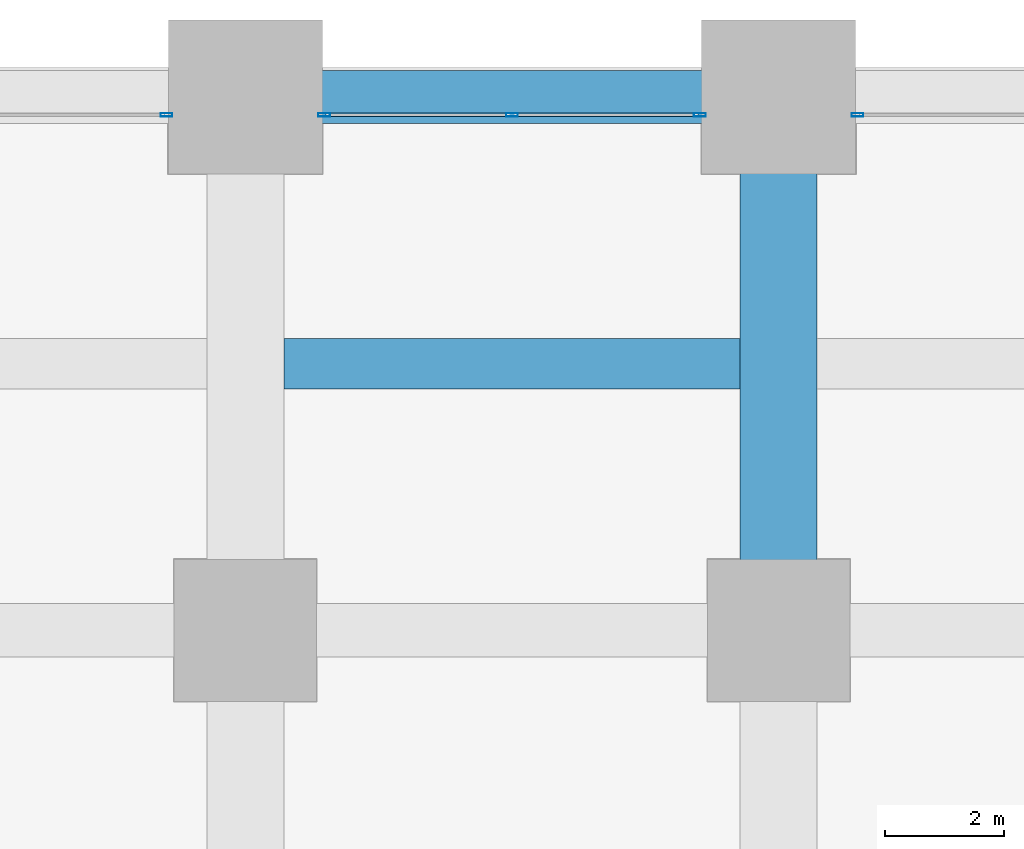
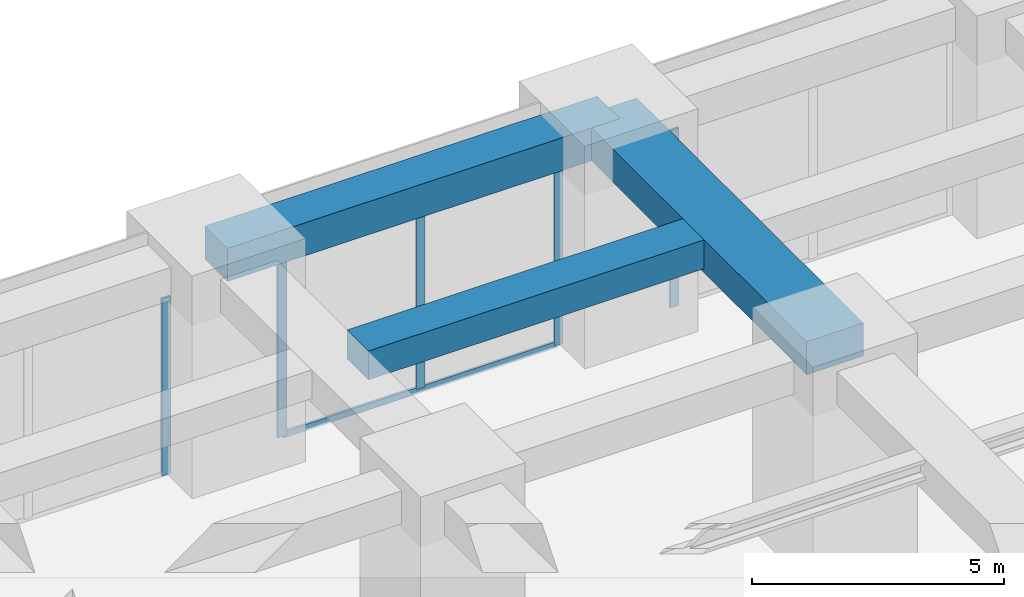
# One storey, part 27 of 45: 6 members, 3 beams, 3 elements without a shape of their own.
"""IFC4 building model written with IfcOpenShell, lengths in metres."""

from ifc_helpers import new_model, si_unit, direction, frame, origin, origin_2d, place, context, subcontext, project, spatial, rectangle, hollow_rectangle, extrude, material, material_profile, profile_set, type_object, element, aggregate, save


model = new_model("IFC4")

# Units and contexts
model_context = context("Model", 3, precision=1e-05, world=origin(), true_north=direction((0.0, 1.0)))
body_context = subcontext(model_context, "Body", "Model", "MODEL_VIEW")
ifc_project = project(units=[si_unit("LENGTHUNIT", "METRE"), si_unit("AREAUNIT", "SQUARE_METRE"), si_unit("VOLUMEUNIT", "CUBIC_METRE"), si_unit("PLANEANGLEUNIT", "RADIAN"), si_unit("MASSUNIT", "GRAM", prefix="KILO")], contexts=[model_context])

# Site, building, storey
site_placement = place(None, origin())
site = spatial("IfcSite", under=ifc_project, at=site_placement, CompositionType="ELEMENT")
building_placement = place(site_placement, origin())
building = spatial("IfcBuilding", under=site, at=building_placement, Name="Zorevar Civic Tower", CompositionType="ELEMENT")
storey_placement = place(building_placement, frame((0.0, 0.0, 5.39990234375)))
storey = spatial("IfcBuildingStorey", under=building, at=storey_placement, Name="L01", CompositionType="ELEMENT", Elevation=5.39990234375)

# Beams
ifc_material_1 = material(Name="Concrete C50/60", Category="concrete")
ifc_material_profile_1 = material_profile(ifc_material_1, rectangle(XDim=1.300048828125, YDim=0.800048828125, at=origin_2d()), Name="RC 1300x800")
ifc_profile_set_1 = profile_set([ifc_material_profile_1], Name="Concrete C50/60")
beam_type_1 = type_object("IfcBeamType", Name="Beam RC 1300x800", PredefinedType="BEAM", material=ifc_profile_set_1)
beam_1_placement = place(storey_placement, frame((36.0, 45.0, 4.7001953125), z_axis=(0.0, 1.0, 0.0), x_axis=(-1.0, 0.0, 0.0)))
element("IfcBeam", 1, at=beam_1_placement, inside=storey, type_object=beam_type_1, Name="Girder L02", PredefinedType="BEAM", context=body_context, shape_type="SweptSolid", body=[
    extrude(rectangle(XDim=1.300048828125, YDim=0.800048828125, at=origin_2d()), origin(), (0.0, 0.0, 1.0), 9.0),
])
ifc_material_2 = material(Name="Concrete C50/60", Category="concrete")
ifc_material_profile_2 = material_profile(ifc_material_2, rectangle(XDim=0.85009765625, YDim=0.699951171875, at=origin_2d()), Name="RC 850x700")
ifc_profile_set_2 = profile_set([ifc_material_profile_2], Name="Concrete C50/60")
beam_type_2 = type_object("IfcBeamType", Name="Beam RC 850x700", PredefinedType="BEAM", material=ifc_profile_set_2)
beam_2_placement = place(storey_placement, frame((27.64990234375, 49.5, 4.75), z_axis=(1.0, 0.0, 0.0), x_axis=(0.0, 1.0, 0.0)))
element("IfcBeam", 2, at=beam_2_placement, inside=storey, type_object=beam_type_2, Name="Secondary beam L02", PredefinedType="BEAM", context=body_context, shape_type="SweptSolid", body=[
    extrude(rectangle(XDim=0.85009765625, YDim=0.699951171875, at=origin_2d()), origin(), (0.0, 0.0, 1.0), 7.7001953125),
])

# Curtain wall, member
ifc_material_3 = material(Name="Dark grey solar-control glass in black aluminium frame", Category="aluminium")
curtain_wall_type = type_object("IfcCurtainWallType", Name="Curtain wall CW1 podium", PredefinedType="NOTDEFINED", material=ifc_material_3)
curtain_wall_1_placement = place(storey_placement, origin())
curtain_wall_1 = element("IfcCurtainWall", 3, at=curtain_wall_1_placement, inside=storey, type_object=curtain_wall_type, Name="CW1 L01", PredefinedType="NOTDEFINED")
ifc_material_4 = material(Name="Aluminium, black anodised", Category="aluminium")
ifc_material_profile_3 = material_profile(ifc_material_4, hollow_rectangle(XDim=0.06005859375, YDim=0.199951171875, WallThickness=0.00390625, at=origin_2d()), Name="AL 200x60x4")
ifc_profile_set_3 = profile_set([ifc_material_profile_3], Name="Aluminium, black anodised")
member_type_1 = type_object("IfcMemberType", Name="CW1 mullion AL 200x60x4", PredefinedType="MULLION", material=ifc_profile_set_3)
member_1_placement = place(storey_placement, frame((25.669921875, 53.699951171875, 0.0), z_axis=(0.0, 0.0, 1.0), x_axis=(0.0, 1.0, 0.0)))
member_1 = element("IfcMember", 4, at=member_1_placement, type_object=member_type_1, Name="CW1 mullion 3", PredefinedType="MULLION", context=body_context, shape_type="SweptSolid", body=[
    extrude(hollow_rectangle(XDim=0.06005859375, YDim=0.199951171875, WallThickness=0.00390625, at=origin_2d()), origin(), (0.0, 0.0, 1.0), 4.300048828125),
])
aggregate(curtain_wall_1, [member_1])

# Curtain wall, members
curtain_wall_2_placement = place(storey_placement, origin())
curtain_wall_2 = element("IfcCurtainWall", 5, at=curtain_wall_2_placement, inside=storey, type_object=curtain_wall_type, Name="CW1 L01", PredefinedType="NOTDEFINED")
member_2_placement = place(storey_placement, frame((28.330078125, 53.699951171875, 0.0), z_axis=(0.0, 0.0, 1.0), x_axis=(0.0, 1.0, 0.0)))
member_2 = element("IfcMember", 6, at=member_2_placement, type_object=member_type_1, Name="CW1 mullion 1", PredefinedType="MULLION", context=body_context, shape_type="SweptSolid", body=[
    extrude(hollow_rectangle(XDim=0.06005859375, YDim=0.199951171875, WallThickness=0.00390625, at=origin_2d()), origin(), (0.0, 0.0, 1.0), 4.300048828125),
])
member_3_placement = place(storey_placement, frame((31.5, 53.699951171875, 0.06005859375), z_axis=(0.0, 0.0, 1.0), x_axis=(0.0, 1.0, 0.0)))
member_3 = element("IfcMember", 7, at=member_3_placement, type_object=member_type_1, Name="CW1 mullion 2", PredefinedType="MULLION", context=body_context, shape_type="SweptSolid", body=[
    extrude(hollow_rectangle(XDim=0.06005859375, YDim=0.199951171875, WallThickness=0.00390625, at=origin_2d()), origin(), (0.0, 0.0, 1.0), 4.239990234375),
])
member_4_placement = place(storey_placement, frame((34.669921875, 53.699951171875, 0.0), z_axis=(0.0, 0.0, 1.0), x_axis=(0.0, 1.0, 0.0)))
member_4 = element("IfcMember", 8, at=member_4_placement, type_object=member_type_1, Name="CW1 mullion 3", PredefinedType="MULLION", context=body_context, shape_type="SweptSolid", body=[
    extrude(hollow_rectangle(XDim=0.06005859375, YDim=0.199951171875, WallThickness=0.00390625, at=origin_2d()), origin(), (0.0, 0.0, 1.0), 4.300048828125),
])

# Curtain wall, member
curtain_wall_3_placement = place(storey_placement, origin())
curtain_wall_3 = element("IfcCurtainWall", 9, at=curtain_wall_3_placement, inside=storey, type_object=curtain_wall_type, Name="CW1 L01", PredefinedType="NOTDEFINED")
member_5_placement = place(storey_placement, frame((37.330078125, 53.699951171875, 0.0), z_axis=(0.0, 0.0, 1.0), x_axis=(0.0, 1.0, 0.0)))
member_5 = element("IfcMember", 10, at=member_5_placement, type_object=member_type_1, Name="CW1 mullion 1", PredefinedType="MULLION", context=body_context, shape_type="SweptSolid", body=[
    extrude(hollow_rectangle(XDim=0.06005859375, YDim=0.199951171875, WallThickness=0.00390625, at=origin_2d()), origin(), (0.0, 0.0, 1.0), 4.300048828125),
])
aggregate(curtain_wall_3, [member_5])

# Member
ifc_material_5 = material(Name="Aluminium, black anodised", Category="aluminium")
ifc_material_profile_4 = material_profile(ifc_material_5, hollow_rectangle(XDim=0.06005859375, YDim=0.14990234375, WallThickness=0.00390625, at=origin_2d()), Name="AL 150x60x4")
ifc_profile_set_4 = profile_set([ifc_material_profile_4], Name="Aluminium, black anodised")
member_type_2 = type_object("IfcMemberType", Name="CW1 transom AL 150x60x4", PredefinedType="USERDEFINED", material=ifc_profile_set_4)
member_6_placement = place(storey_placement, frame((28.360107421875, 53.699951171875, 0.030029296875), z_axis=(1.0, 0.0, 0.0), x_axis=(0.0, 1.0, 0.0)))
member_6 = element("IfcMember", 11, at=member_6_placement, type_object=member_type_2, Name="CW1 sill transom", ObjectType="TRANSOM", PredefinedType="USERDEFINED", context=body_context, shape_type="SweptSolid", body=[
    extrude(hollow_rectangle(XDim=0.06005859375, YDim=0.14990234375, WallThickness=0.00390625, at=origin_2d()), origin(), (0.0, 0.0, 1.0), 6.27978515625),
])

aggregate(curtain_wall_2, [member_2, member_3, member_4, member_6])

# Beam
ifc_material_6 = material(Name="Concrete C50/60", Category="concrete")
ifc_material_profile_5 = material_profile(ifc_material_6, rectangle(XDim=0.89990234375, YDim=0.800048828125, at=origin_2d()), Name="RC 900x800")
ifc_profile_set_5 = profile_set([ifc_material_profile_5], Name="Concrete C50/60")
beam_type_3 = type_object("IfcBeamType", Name="Edge beam RC 900x800", PredefinedType="SPANDREL", material=ifc_profile_set_5)
beam_3_placement = place(storey_placement, frame((27.0, 54.0, 4.7001953125), z_axis=(1.0, 0.0, 0.0), x_axis=(0.0, 1.0, 0.0)))
element("IfcBeam", 12, at=beam_3_placement, inside=storey, type_object=beam_type_3, Name="Edge beam L02", PredefinedType="SPANDREL", context=body_context, shape_type="SweptSolid", body=[
    extrude(rectangle(XDim=0.89990234375, YDim=0.800048828125, at=origin_2d()), origin(), (0.0, 0.0, 1.0), 9.0),
])

save(model, "model.ifc")
